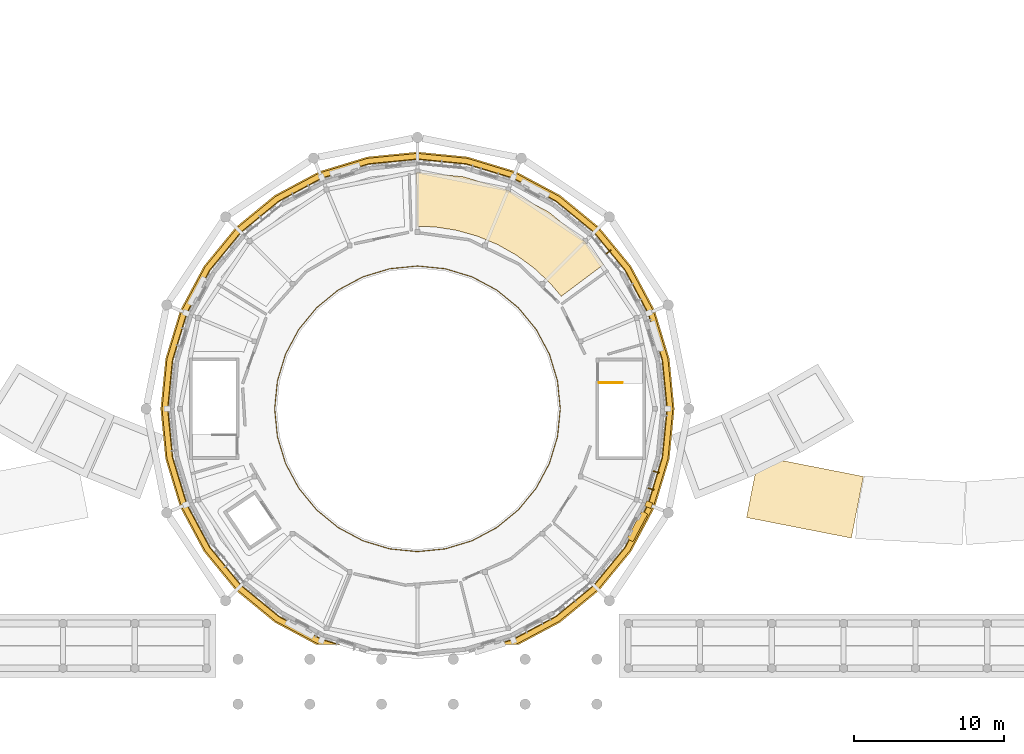
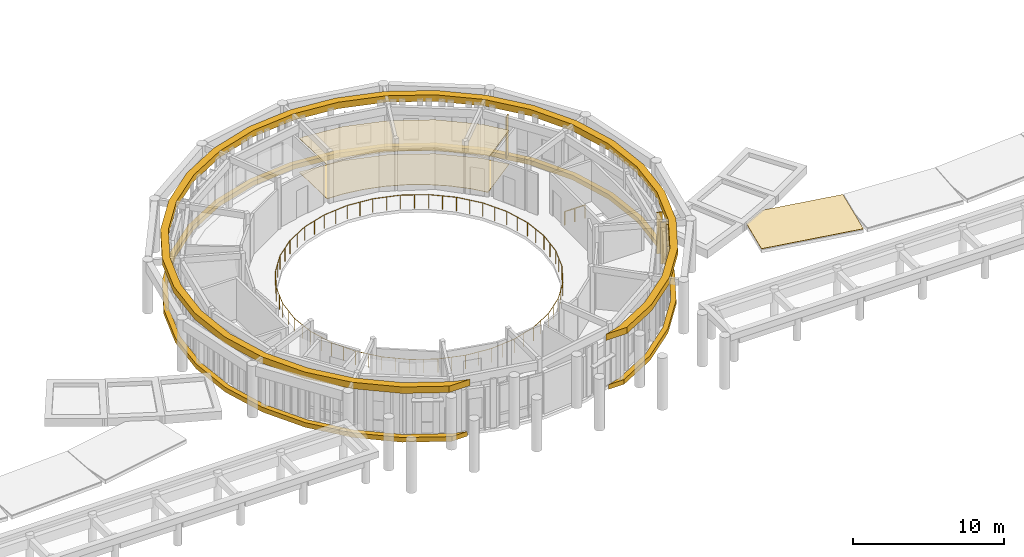
# One storey, part 70 of 80: 6 coverings, 4 shading devices, 2 railings.
"""IFC4 building model written with IfcOpenShell, lengths in metres."""

from ifc_helpers import new_model, si_unit, direction, frame, origin, origin_2d, place, context, subcontext, project, spatial, polyline, rectangle, circle, outline, extrude, material, layer, layer_set, type_object, element, save


model = new_model("IFC4")

# Units and contexts
model_context = context("Model", 3, precision=1e-05, world=origin(), true_north=direction((0.0, 1.0)))
body_context = subcontext(model_context, "Body", "Model", "MODEL_VIEW")
ifc_project = project(units=[si_unit("LENGTHUNIT", "METRE"), si_unit("AREAUNIT", "SQUARE_METRE"), si_unit("VOLUMEUNIT", "CUBIC_METRE"), si_unit("PLANEANGLEUNIT", "RADIAN"), si_unit("MASSUNIT", "GRAM", prefix="KILO")], contexts=[model_context])

# Site, building, storey
site_placement = place(None, origin())
site = spatial("IfcSite", under=ifc_project, at=site_placement, CompositionType="ELEMENT")
building_placement = place(site_placement, origin())
building = spatial("IfcBuilding", under=site, at=building_placement, Name="Aldenvaro Health Centre", CompositionType="ELEMENT")
storey_placement = place(building_placement, frame((0.0, 0.0, 4.550048828125)))
storey = spatial("IfcBuildingStorey", under=building, at=storey_placement, Name="L01", CompositionType="ELEMENT", Elevation=4.550048828125)

# Coverings
ifc_material_1 = material(Name="Perforated Douglas Fir Slatted Ceiling")
ifc_layer_1 = layer(ifc_material_1, 0.031982421875, Name="Perforated Douglas Fir Slatted Ceiling")
ifc_layer_set_1 = layer_set([ifc_layer_1], Name="Perforated Douglas Fir Slatted Ceiling")
covering_type_1 = type_object("IfcCoveringType", Name="COV-CLG-WD32", PredefinedType="CEILING", material=ifc_layer_set_1)
covering_1_placement = place(storey_placement, frame((0.0, 0.0, 2.75)))
element("IfcCovering", 1, at=covering_1_placement, inside=storey, type_object=covering_type_1, Name="D1-L01-R01 Suspended Ceiling", PredefinedType="CEILING", context=body_context, shape_type="SweptSolid", body=[
    extrude(outline(polyline([(95.847900390625, 28.427978515625), (95.827880859375, 28.448974609375), (94.7919921875, 29.4130859375), (94.77001953125, 29.430908203125), (93.626953125, 30.26708984375), (93.60302734375, 30.281982421875), (92.368896484375, 30.97705078125), (92.343994140625, 30.989013671875), (91.037109375, 31.532958984375), (91.010009765625, 31.54296875), (89.64794921875, 31.928955078125), (89.62109375, 31.93505859375), (88.221923828125, 32.157958984375), (88.194091796875, 32.160888671875), (87.006103515625, 32.208984375), (86.93603515625, 35.81201171875), (87.0, 35.818115234375), (90.0859375, 35.514892578125), (93.053955078125, 34.614013671875), (95.7880859375, 33.153076171875), (98.18603515625, 31.18603515625), (99.447998046875, 29.64697265625), (96.616943359375, 27.52099609375), (95.847900390625, 28.427978515625)])), origin(), (0.0, 0.0, 1.0), 0.031982421875),
])
ifc_material_2 = material(Name="Honed Sonoran Buff Limestone", Category="masonry")
ifc_layer_2 = layer(ifc_material_2, 0.280029296875, Name="Honed Sonoran Buff Limestone", Category="masonry")
ifc_layer_set_2 = layer_set([ifc_layer_2], Name="Honed Sonoran Buff Limestone")
covering_type_2 = type_object("IfcCoveringType", Name="COV-CRN-STN", PredefinedType="CLADDING", material=ifc_layer_set_2)
covering_2_placement = place(storey_placement, frame((0.0, 0.0, -0.340087890625)))
element("IfcCovering", 2, at=covering_2_placement, inside=storey, type_object=covering_type_2, Name="D1 L01 Classical Stone Entablature Cornice 1", PredefinedType="CLADDING", context=body_context, shape_type="SweptSolid", body=[
    extrude(outline(polyline([(77.510986328125, 5.798095703125), (74.923095703125, 7.923095703125), (72.798095703125, 10.510986328125), (71.219970703125, 13.464111328125), (70.248046875, 16.66796875), (69.919921875, 20.0), (70.248046875, 23.33203125), (71.219970703125, 26.535888671875), (72.798095703125, 29.489013671875), (74.923095703125, 32.076904296875), (77.510986328125, 34.201904296875), (80.464111328125, 35.780029296875), (83.66796875, 36.751953125), (87.0, 37.080078125), (90.33203125, 36.751953125), (93.535888671875, 35.780029296875), (96.489013671875, 34.201904296875), (99.076904296875, 32.076904296875), (101.201904296875, 29.489013671875), (102.780029296875, 26.535888671875), (103.751953125, 23.33203125), (104.080078125, 20.0), (103.751953125, 16.66796875), (102.780029296875, 13.464111328125), (101.201904296875, 10.510986328125), (99.076904296875, 7.923095703125), (96.489013671875, 5.798095703125), (93.592041015625, 4.25), (92.385009765625, 4.25), (93.39697265625, 4.556884765625), (96.285888671875, 6.10205078125), (98.819091796875, 8.180908203125), (100.89794921875, 10.714111328125), (102.443115234375, 13.60302734375), (103.39404296875, 16.739013671875), (103.715087890625, 20.0), (103.39404296875, 23.260986328125), (102.443115234375, 26.39697265625), (100.89794921875, 29.285888671875), (98.819091796875, 31.819091796875), (96.285888671875, 33.89794921875), (93.39697265625, 35.443115234375), (90.260986328125, 36.39404296875), (87.0, 36.715087890625), (83.739013671875, 36.39404296875), (80.60302734375, 35.443115234375), (77.714111328125, 33.89794921875), (75.180908203125, 31.819091796875), (73.10205078125, 29.285888671875), (71.556884765625, 26.39697265625), (70.60595703125, 23.260986328125), (70.284912109375, 20.0), (70.60595703125, 16.739013671875), (71.556884765625, 13.60302734375), (73.10205078125, 10.714111328125), (75.180908203125, 8.180908203125), (77.714111328125, 6.10205078125), (80.60302734375, 4.556884765625), (81.614990234375, 4.25), (80.407958984375, 4.25), (77.510986328125, 5.798095703125)])), origin(), (0.0, 0.0, 1.0), 0.380126953125),
])
covering_3_placement = place(storey_placement, frame((102.466064453125, 13.593994140625, 0.0), z_axis=(0.0, 0.0, 1.0), x_axis=(0.923883065715, -0.382674902345, 0.0)))
element("IfcCovering", 3, at=covering_3_placement, inside=storey, type_object=covering_type_2, Name="D1 L01 Engaged Classical Limestone Pilaster 02", PredefinedType="CLADDING", context=body_context, shape_type="SweptSolid", body=[
    extrude(rectangle(XDim=0.43994140625, YDim=0.3798828125, at=origin_2d()), origin(), (0.0, 0.0, 1.0), 3.9599609375),
])
covering_4_placement = place(storey_placement, frame((0.0, 0.0, 3.679931640625)))
element("IfcCovering", 4, at=covering_4_placement, inside=storey, type_object=covering_type_2, Name="D1 Classical Roof Entablature Frieze 1", PredefinedType="CLADDING", context=body_context, shape_type="SweptSolid", body=[
    extrude(outline(polyline([(77.455078125, 5.715087890625), (74.85205078125, 7.85205078125), (72.715087890625, 10.455078125), (71.1279296875, 13.425048828125), (70.14990234375, 16.64794921875), (69.820068359375, 20.0), (70.14990234375, 23.35205078125), (71.1279296875, 26.574951171875), (72.715087890625, 29.544921875), (74.85205078125, 32.14794921875), (77.455078125, 34.284912109375), (80.425048828125, 35.8720703125), (83.64794921875, 36.85009765625), (87.0, 37.179931640625), (90.35205078125, 36.85009765625), (93.574951171875, 35.8720703125), (96.544921875, 34.284912109375), (99.14794921875, 32.14794921875), (101.284912109375, 29.544921875), (102.8720703125, 26.574951171875), (103.85009765625, 23.35205078125), (104.179931640625, 20.0), (103.85009765625, 16.64794921875), (102.8720703125, 13.425048828125), (101.284912109375, 10.455078125), (99.14794921875, 7.85205078125), (96.544921875, 5.715087890625), (93.802978515625, 4.25), (92.196044921875, 4.25), (93.3759765625, 4.60791015625), (96.256103515625, 6.14794921875), (98.780029296875, 8.219970703125), (100.85205078125, 10.743896484375), (102.39208984375, 13.6240234375), (103.340087890625, 16.75), (103.659912109375, 20.0), (103.340087890625, 23.25), (102.39208984375, 26.3759765625), (100.85205078125, 29.256103515625), (98.780029296875, 31.780029296875), (96.256103515625, 33.85205078125), (93.3759765625, 35.39208984375), (90.25, 36.340087890625), (87.0, 36.659912109375), (83.75, 36.340087890625), (80.6240234375, 35.39208984375), (77.743896484375, 33.85205078125), (75.219970703125, 31.780029296875), (73.14794921875, 29.256103515625), (71.60791015625, 26.3759765625), (70.659912109375, 23.25), (70.340087890625, 20.0), (70.659912109375, 16.75), (71.60791015625, 13.6240234375), (73.14794921875, 10.743896484375), (75.219970703125, 8.219970703125), (77.743896484375, 6.14794921875), (80.6240234375, 4.60791015625), (81.803955078125, 4.25), (80.197021484375, 4.25), (77.455078125, 5.715087890625)])), origin(), (0.0, 0.0, 1.0), 0.52001953125),
])
ifc_material_3 = material(Name="Honed Arizona Limestone Flooring", Category="masonry")
ifc_layer_3 = layer(ifc_material_3, 0.030029296875, Name="Honed Arizona Limestone Flooring", Category="masonry")
ifc_layer_set_3 = layer_set([ifc_layer_3], Name="Honed Arizona Limestone Flooring")
covering_type_3 = type_object("IfcCoveringType", Name="COV-FLR-STN30", PredefinedType="FLOORING", material=ifc_layer_set_3)
covering_5_placement = place(storey_placement, origin())
element("IfcCovering", 5, at=covering_5_placement, inside=storey, type_object=covering_type_3, Name="D1-L01-R01 Flooring", PredefinedType="FLOORING", context=body_context, shape_type="SweptSolid", body=[
    extrude(outline(polyline([(95.847900390625, 28.427978515625), (95.827880859375, 28.448974609375), (94.7919921875, 29.4130859375), (94.77001953125, 29.430908203125), (93.626953125, 30.26708984375), (93.60302734375, 30.281982421875), (92.368896484375, 30.97705078125), (92.343994140625, 30.989013671875), (91.037109375, 31.532958984375), (91.010009765625, 31.54296875), (89.64794921875, 31.928955078125), (89.62109375, 31.93505859375), (88.221923828125, 32.157958984375), (88.194091796875, 32.160888671875), (87.006103515625, 32.208984375), (86.93603515625, 35.81201171875), (87.0, 35.818115234375), (90.0859375, 35.514892578125), (93.053955078125, 34.614013671875), (95.7880859375, 33.153076171875), (98.18603515625, 31.18603515625), (99.447998046875, 29.64697265625), (96.616943359375, 27.52099609375), (95.847900390625, 28.427978515625)])), origin(), (0.0, 0.0, 1.0), 0.030029296875),
])
ifc_material_4 = material(Name="TPO Reflective Cool Roof Membrane")
ifc_layer_4 = layer(ifc_material_4, 0.030029296875, Name="TPO Reflective Cool Roof Membrane")
ifc_layer_set_4 = layer_set([ifc_layer_4], Name="TPO Reflective Cool Roof Membrane")
covering_type_4 = type_object("IfcCoveringType", Name="COV-RF-MEM", PredefinedType="ROOFING", material=ifc_layer_set_4)
covering_6_placement = place(storey_placement, frame((0.0, 0.0, 0.06005859375)))
element("IfcCovering", 6, at=covering_6_placement, inside=storey, type_object=covering_type_4, Name="South East Curved Peristyle Walkway Arc 1 flat roof Cool Limestone Ballast Membrane", PredefinedType="ROOFING", context=body_context, shape_type="SweptSolid", body=[
    extrude(outline(polyline([(116.823974609375, 15.47509765625), (116.01611328125, 11.35302734375), (109.008056640625, 12.72802734375), (109.60205078125, 15.756103515625), (111.260986328125, 16.56591796875), (116.823974609375, 15.47509765625)])), origin(), (0.0, 0.0, 1.0), 0.02978515625),
])

# Railings
ifc_material_5 = material(Name="Painted Architectural Steel", Category="steel")
railing_type = type_object("IfcRailingType", Name="RL-BAL-INT", PredefinedType="BALUSTRADE", material=ifc_material_5)
railing_1_placement = place(storey_placement, frame((99.14990234375, 21.75, 0.0)))
element("IfcRailing", 7, at=railing_1_placement, inside=storey, type_object=railing_type, Name="L01 ST-02 top well guard 1", PredefinedType="BALUSTRADE", context=body_context, shape_type="SweptSolid", body=[
    extrude(circle(Radius=0.02392578125, at=origin_2d()), frame((0.0, 0.0, 1.076171875), z_axis=(1.0, 0.0, 0.0), x_axis=(0.0, 1.0, 0.0)), (0.0, 0.0, 1.0), 1.550048828125),
    extrude(circle(Radius=0.02099609375, at=origin_2d()), origin(), (0.0, 0.0, 1.0), 1.052001953125),
    extrude(circle(Radius=0.02099609375, at=origin_2d()), frame((0.77490234375, 0.0, 0.0)), (0.0, 0.0, 1.0), 1.052001953125),
    extrude(circle(Radius=0.02099609375, at=origin_2d()), frame((1.550048828125, 0.0, 0.0)), (0.0, 0.0, 1.0), 1.052001953125),
])
railing_2_placement = place(storey_placement, frame((96.550048828125, 20.0, 0.0)))
element("IfcRailing", 8, at=railing_2_placement, inside=storey, type_object=railing_type, Name="Waiting Rotunda L01 Gallery Guardrail", PredefinedType="BALUSTRADE", context=body_context, shape_type="SweptSolid", body=[
    extrude(circle(Radius=0.02392578125, at=origin_2d()), frame((0.0, 0.0, 1.09619140625), z_axis=(-0.098328674028, 0.995153994045, 0.0), x_axis=(-0.995153994045, -0.098328674028, 0.0)), (0.0, 0.0, 1.0), 1.8720703125),
    extrude(circle(Radius=0.02392578125, at=origin_2d()), frame((-0.18408203125, 1.863037109375, 1.09619140625), z_axis=(-0.289978444854, 0.957033176813, 0.0), x_axis=(-0.957033176813, -0.289978444854, 0.0)), (0.0, 0.0, 1.0), 1.87255859375),
    extrude(circle(Radius=0.02392578125, at=origin_2d()), frame((-0.72705078125, 3.655029296875, 1.09619140625), z_axis=(-0.471258323085, 0.881995234071, 0.0), x_axis=(-0.881995234071, -0.471258323085, 0.0)), (0.0, 0.0, 1.0), 1.871826171875),
    extrude(circle(Radius=0.02392578125, at=origin_2d()), frame((-1.609130859375, 5.305908203125, 1.09619140625), z_axis=(-0.634536399324, 0.772892979612, 0.0), x_axis=(-0.772892979612, -0.634536399324, 0.0)), (0.0, 0.0, 1.0), 1.872314453125),
    extrude(circle(Radius=0.02392578125, at=origin_2d()), frame((-2.797119140625, 6.7529296875, 1.09619140625), z_axis=(-0.772892979612, 0.634536399324, 0.0), x_axis=(-0.634536399324, -0.772892979612, 0.0)), (0.0, 0.0, 1.0), 1.872314453125),
    extrude(circle(Radius=0.02392578125, at=origin_2d()), frame((-4.244140625, 7.94091796875, 1.09619140625), z_axis=(-0.881995234071, 0.471258323085, 0.0), x_axis=(-0.471258323085, -0.881995234071, 0.0)), (0.0, 0.0, 1.0), 1.871826171875),
    extrude(circle(Radius=0.02392578125, at=origin_2d()), frame((-5.89501953125, 8.822998046875, 1.09619140625), z_axis=(-0.957033176813, 0.289978444854, 0.0), x_axis=(-0.289978444854, -0.957033176813, 0.0)), (0.0, 0.0, 1.0), 1.87255859375),
    extrude(circle(Radius=0.02392578125, at=origin_2d()), frame((-7.68701171875, 9.365966796875, 1.09619140625), z_axis=(-0.995153994045, 0.098328674028, 0.0), x_axis=(-0.098328674028, -0.995153994045, 0.0)), (0.0, 0.0, 1.0), 1.8720703125),
    extrude(circle(Radius=0.02392578125, at=origin_2d()), frame((-9.550048828125, 9.550048828125, 1.09619140625), z_axis=(-0.995153994045, -0.098328674028, 0.0), x_axis=(0.098328674028, -0.995153994045, 0.0)), (0.0, 0.0, 1.0), 1.8720703125),
    extrude(circle(Radius=0.02392578125, at=origin_2d()), frame((-11.4130859375, 9.365966796875, 1.09619140625), z_axis=(-0.957033176813, -0.289978444854, 0.0), x_axis=(0.289978444854, -0.957033176813, 0.0)), (0.0, 0.0, 1.0), 1.87255859375),
    extrude(circle(Radius=0.02392578125, at=origin_2d()), frame((-13.205078125, 8.822998046875, 1.09619140625), z_axis=(-0.881995234071, -0.471258323085, 0.0), x_axis=(0.471258323085, -0.881995234071, 0.0)), (0.0, 0.0, 1.0), 1.871826171875),
    extrude(circle(Radius=0.02392578125, at=origin_2d()), frame((-14.85595703125, 7.94091796875, 1.09619140625), z_axis=(-0.772892979612, -0.634536399324, 0.0), x_axis=(0.634536399324, -0.772892979612, 0.0)), (0.0, 0.0, 1.0), 1.872314453125),
    extrude(circle(Radius=0.02392578125, at=origin_2d()), frame((-16.302978515625, 6.7529296875, 1.09619140625), z_axis=(-0.634536399324, -0.772892979612, 0.0), x_axis=(0.772892979612, -0.634536399324, 0.0)), (0.0, 0.0, 1.0), 1.872314453125),
    extrude(circle(Radius=0.02392578125, at=origin_2d()), frame((-17.490966796875, 5.305908203125, 1.09619140625), z_axis=(-0.471258323085, -0.881995234071, 0.0), x_axis=(0.881995234071, -0.471258323085, 0.0)), (0.0, 0.0, 1.0), 1.871826171875),
    extrude(circle(Radius=0.02392578125, at=origin_2d()), frame((-18.373046875, 3.655029296875, 1.09619140625), z_axis=(-0.289978444854, -0.957033176813, 0.0), x_axis=(0.957033176813, -0.289978444854, 0.0)), (0.0, 0.0, 1.0), 1.87255859375),
    extrude(circle(Radius=0.02392578125, at=origin_2d()), frame((-18.916015625, 1.863037109375, 1.09619140625), z_axis=(-0.098328674028, -0.995153994045, 0.0), x_axis=(0.995153994045, -0.098328674028, 0.0)), (0.0, 0.0, 1.0), 1.8720703125),
    extrude(circle(Radius=0.02392578125, at=origin_2d()), frame((-19.10009765625, 0.0, 1.09619140625), z_axis=(0.098328674028, -0.995153994045, 0.0), x_axis=(0.995153994045, 0.098328674028, 0.0)), (0.0, 0.0, 1.0), 1.8720703125),
    extrude(circle(Radius=0.02392578125, at=origin_2d()), frame((-18.916015625, -1.863037109375, 1.09619140625), z_axis=(0.289978444854, -0.957033176813, 0.0), x_axis=(0.957033176813, 0.289978444854, 0.0)), (0.0, 0.0, 1.0), 1.87255859375),
    extrude(circle(Radius=0.02392578125, at=origin_2d()), frame((-18.373046875, -3.655029296875, 1.09619140625), z_axis=(0.471258323085, -0.881995234071, 0.0), x_axis=(0.881995234071, 0.471258323085, 0.0)), (0.0, 0.0, 1.0), 1.871826171875),
    extrude(circle(Radius=0.02392578125, at=origin_2d()), frame((-17.490966796875, -5.305908203125, 1.09619140625), z_axis=(0.634536399324, -0.772892979612, 0.0), x_axis=(0.772892979612, 0.634536399324, 0.0)), (0.0, 0.0, 1.0), 1.872314453125),
    extrude(circle(Radius=0.02392578125, at=origin_2d()), frame((-16.302978515625, -6.7529296875, 1.09619140625), z_axis=(0.772892979612, -0.634536399324, 0.0), x_axis=(0.634536399324, 0.772892979612, 0.0)), (0.0, 0.0, 1.0), 1.872314453125),
    extrude(circle(Radius=0.02392578125, at=origin_2d()), frame((-14.85595703125, -7.94091796875, 1.09619140625), z_axis=(0.881995234071, -0.471258323085, 0.0), x_axis=(0.471258323085, 0.881995234071, 0.0)), (0.0, 0.0, 1.0), 1.871826171875),
    extrude(circle(Radius=0.02392578125, at=origin_2d()), frame((-13.205078125, -8.822998046875, 1.09619140625), z_axis=(0.957033176813, -0.289978444854, 0.0), x_axis=(0.289978444854, 0.957033176813, 0.0)), (0.0, 0.0, 1.0), 1.87255859375),
    extrude(circle(Radius=0.02392578125, at=origin_2d()), frame((-11.4130859375, -9.365966796875, 1.09619140625), z_axis=(0.995153994045, -0.098328674028, 0.0), x_axis=(0.098328674028, 0.995153994045, 0.0)), (0.0, 0.0, 1.0), 1.8720703125),
    extrude(circle(Radius=0.02392578125, at=origin_2d()), frame((-9.550048828125, -9.550048828125, 1.09619140625), z_axis=(0.995153994045, 0.098328674028, 0.0), x_axis=(-0.098328674028, 0.995153994045, 0.0)), (0.0, 0.0, 1.0), 1.8720703125),
    extrude(circle(Radius=0.02392578125, at=origin_2d()), frame((-7.68701171875, -9.365966796875, 1.09619140625), z_axis=(0.957033176813, 0.289978444854, 0.0), x_axis=(-0.289978444854, 0.957033176813, 0.0)), (0.0, 0.0, 1.0), 1.87255859375),
    extrude(circle(Radius=0.02392578125, at=origin_2d()), frame((-5.89501953125, -8.822998046875, 1.09619140625), z_axis=(0.881995234071, 0.471258323085, 0.0), x_axis=(-0.471258323085, 0.881995234071, 0.0)), (0.0, 0.0, 1.0), 1.871826171875),
    extrude(circle(Radius=0.02392578125, at=origin_2d()), frame((-4.244140625, -7.94091796875, 1.09619140625), z_axis=(0.772892979612, 0.634536399324, 0.0), x_axis=(-0.634536399324, 0.772892979612, 0.0)), (0.0, 0.0, 1.0), 1.872314453125),
    extrude(circle(Radius=0.02392578125, at=origin_2d()), frame((-2.797119140625, -6.7529296875, 1.09619140625), z_axis=(0.634536399324, 0.772892979612, 0.0), x_axis=(-0.772892979612, 0.634536399324, 0.0)), (0.0, 0.0, 1.0), 1.872314453125),
    extrude(circle(Radius=0.02392578125, at=origin_2d()), frame((-1.609130859375, -5.305908203125, 1.09619140625), z_axis=(0.471258323085, 0.881995234071, 0.0), x_axis=(-0.881995234071, 0.471258323085, 0.0)), (0.0, 0.0, 1.0), 1.871826171875),
    extrude(circle(Radius=0.02392578125, at=origin_2d()), frame((-0.72705078125, -3.655029296875, 1.09619140625), z_axis=(0.289978444854, 0.957033176813, 0.0), x_axis=(-0.957033176813, 0.289978444854, 0.0)), (0.0, 0.0, 1.0), 1.87255859375),
    extrude(circle(Radius=0.02392578125, at=origin_2d()), frame((-0.18408203125, -1.863037109375, 1.09619140625), z_axis=(0.098248899159, 0.995161873171, 0.0), x_axis=(-0.995161873171, 0.098248899159, 0.0)), (0.0, 0.0, 1.0), 1.791748046875),
    extrude(circle(Radius=0.02099609375, at=origin_2d()), origin(), (0.0, 0.0, 1.0), 1.072021484375),
    extrude(circle(Radius=0.02099609375, at=origin_2d()), frame((-0.092041015625, 0.931640625, 0.0)), (0.0, 0.0, 1.0), 1.072021484375),
    extrude(circle(Radius=0.02099609375, at=origin_2d()), frame((-0.18408203125, 1.863037109375, 0.0)), (0.0, 0.0, 1.0), 1.072021484375),
    extrude(circle(Radius=0.02099609375, at=origin_2d()), frame((-0.45556640625, 2.759033203125, 0.0)), (0.0, 0.0, 1.0), 1.072021484375),
    extrude(circle(Radius=0.02099609375, at=origin_2d()), frame((-0.72705078125, 3.655029296875, 0.0)), (0.0, 0.0, 1.0), 1.072021484375),
    extrude(circle(Radius=0.02099609375, at=origin_2d()), frame((-1.16796875, 4.48046875, 0.0)), (0.0, 0.0, 1.0), 1.072021484375),
    extrude(circle(Radius=0.02099609375, at=origin_2d()), frame((-1.609130859375, 5.305908203125, 0.0)), (0.0, 0.0, 1.0), 1.072021484375),
    extrude(circle(Radius=0.02099609375, at=origin_2d()), frame((-2.203125, 6.029296875, 0.0)), (0.0, 0.0, 1.0), 1.072021484375),
    extrude(circle(Radius=0.02099609375, at=origin_2d()), frame((-2.797119140625, 6.7529296875, 0.0)), (0.0, 0.0, 1.0), 1.072021484375),
    extrude(circle(Radius=0.02099609375, at=origin_2d()), frame((-3.5205078125, 7.346923828125, 0.0)), (0.0, 0.0, 1.0), 1.072021484375),
    extrude(circle(Radius=0.02099609375, at=origin_2d()), frame((-4.244140625, 7.94091796875, 0.0)), (0.0, 0.0, 1.0), 1.072021484375),
    extrude(circle(Radius=0.02099609375, at=origin_2d()), frame((-5.069580078125, 8.3818359375, 0.0)), (0.0, 0.0, 1.0), 1.072021484375),
    extrude(circle(Radius=0.02099609375, at=origin_2d()), frame((-5.89501953125, 8.822998046875, 0.0)), (0.0, 0.0, 1.0), 1.072021484375),
    extrude(circle(Radius=0.02099609375, at=origin_2d()), frame((-6.791015625, 9.094482421875, 0.0)), (0.0, 0.0, 1.0), 1.072021484375),
    extrude(circle(Radius=0.02099609375, at=origin_2d()), frame((-7.68701171875, 9.365966796875, 0.0)), (0.0, 0.0, 1.0), 1.072021484375),
    extrude(circle(Radius=0.02099609375, at=origin_2d()), frame((-8.61865234375, 9.4580078125, 0.0)), (0.0, 0.0, 1.0), 1.072021484375),
    extrude(circle(Radius=0.02099609375, at=origin_2d()), frame((-9.550048828125, 9.550048828125, 0.0)), (0.0, 0.0, 1.0), 1.072021484375),
    extrude(circle(Radius=0.02099609375, at=origin_2d()), frame((-10.4814453125, 9.4580078125, 0.0)), (0.0, 0.0, 1.0), 1.072021484375),
    extrude(circle(Radius=0.02099609375, at=origin_2d()), frame((-11.4130859375, 9.365966796875, 0.0)), (0.0, 0.0, 1.0), 1.072021484375),
    extrude(circle(Radius=0.02099609375, at=origin_2d()), frame((-12.30908203125, 9.094482421875, 0.0)), (0.0, 0.0, 1.0), 1.072021484375),
    extrude(circle(Radius=0.02099609375, at=origin_2d()), frame((-13.205078125, 8.822998046875, 0.0)), (0.0, 0.0, 1.0), 1.072021484375),
    extrude(circle(Radius=0.02099609375, at=origin_2d()), frame((-14.030517578125, 8.3818359375, 0.0)), (0.0, 0.0, 1.0), 1.072021484375),
    extrude(circle(Radius=0.02099609375, at=origin_2d()), frame((-14.85595703125, 7.94091796875, 0.0)), (0.0, 0.0, 1.0), 1.072021484375),
    extrude(circle(Radius=0.02099609375, at=origin_2d()), frame((-15.57958984375, 7.346923828125, 0.0)), (0.0, 0.0, 1.0), 1.072021484375),
    extrude(circle(Radius=0.02099609375, at=origin_2d()), frame((-16.302978515625, 6.7529296875, 0.0)), (0.0, 0.0, 1.0), 1.072021484375),
    extrude(circle(Radius=0.02099609375, at=origin_2d()), frame((-16.89697265625, 6.029296875, 0.0)), (0.0, 0.0, 1.0), 1.072021484375),
    extrude(circle(Radius=0.02099609375, at=origin_2d()), frame((-17.490966796875, 5.305908203125, 0.0)), (0.0, 0.0, 1.0), 1.072021484375),
    extrude(circle(Radius=0.02099609375, at=origin_2d()), frame((-17.93212890625, 4.48046875, 0.0)), (0.0, 0.0, 1.0), 1.072021484375),
    extrude(circle(Radius=0.02099609375, at=origin_2d()), frame((-18.373046875, 3.655029296875, 0.0)), (0.0, 0.0, 1.0), 1.072021484375),
    extrude(circle(Radius=0.02099609375, at=origin_2d()), frame((-18.64453125, 2.759033203125, 0.0)), (0.0, 0.0, 1.0), 1.072021484375),
    extrude(circle(Radius=0.02099609375, at=origin_2d()), frame((-18.916015625, 1.863037109375, 0.0)), (0.0, 0.0, 1.0), 1.072021484375),
    extrude(circle(Radius=0.02099609375, at=origin_2d()), frame((-19.008056640625, 0.931640625, 0.0)), (0.0, 0.0, 1.0), 1.072021484375),
    extrude(circle(Radius=0.02099609375, at=origin_2d()), frame((-19.10009765625, 0.0, 0.0)), (0.0, 0.0, 1.0), 1.072021484375),
    extrude(circle(Radius=0.02099609375, at=origin_2d()), frame((-19.008056640625, -0.931640625, 0.0)), (0.0, 0.0, 1.0), 1.072021484375),
    extrude(circle(Radius=0.02099609375, at=origin_2d()), frame((-18.916015625, -1.863037109375, 0.0)), (0.0, 0.0, 1.0), 1.072021484375),
    extrude(circle(Radius=0.02099609375, at=origin_2d()), frame((-18.64453125, -2.759033203125, 0.0)), (0.0, 0.0, 1.0), 1.072021484375),
    extrude(circle(Radius=0.02099609375, at=origin_2d()), frame((-18.373046875, -3.655029296875, 0.0)), (0.0, 0.0, 1.0), 1.072021484375),
    extrude(circle(Radius=0.02099609375, at=origin_2d()), frame((-17.93212890625, -4.48046875, 0.0)), (0.0, 0.0, 1.0), 1.072021484375),
    extrude(circle(Radius=0.02099609375, at=origin_2d()), frame((-17.490966796875, -5.305908203125, 0.0)), (0.0, 0.0, 1.0), 1.072021484375),
    extrude(circle(Radius=0.02099609375, at=origin_2d()), frame((-16.89697265625, -6.029296875, 0.0)), (0.0, 0.0, 1.0), 1.072021484375),
    extrude(circle(Radius=0.02099609375, at=origin_2d()), frame((-16.302978515625, -6.7529296875, 0.0)), (0.0, 0.0, 1.0), 1.072021484375),
    extrude(circle(Radius=0.02099609375, at=origin_2d()), frame((-15.57958984375, -7.346923828125, 0.0)), (0.0, 0.0, 1.0), 1.072021484375),
    extrude(circle(Radius=0.02099609375, at=origin_2d()), frame((-14.85595703125, -7.94091796875, 0.0)), (0.0, 0.0, 1.0), 1.072021484375),
    extrude(circle(Radius=0.02099609375, at=origin_2d()), frame((-14.030517578125, -8.3818359375, 0.0)), (0.0, 0.0, 1.0), 1.072021484375),
    extrude(circle(Radius=0.02099609375, at=origin_2d()), frame((-13.205078125, -8.822998046875, 0.0)), (0.0, 0.0, 1.0), 1.072021484375),
    extrude(circle(Radius=0.02099609375, at=origin_2d()), frame((-12.30908203125, -9.094482421875, 0.0)), (0.0, 0.0, 1.0), 1.072021484375),
    extrude(circle(Radius=0.02099609375, at=origin_2d()), frame((-11.4130859375, -9.365966796875, 0.0)), (0.0, 0.0, 1.0), 1.072021484375),
    extrude(circle(Radius=0.02099609375, at=origin_2d()), frame((-10.4814453125, -9.4580078125, 0.0)), (0.0, 0.0, 1.0), 1.072021484375),
    extrude(circle(Radius=0.02099609375, at=origin_2d()), frame((-9.550048828125, -9.550048828125, 0.0)), (0.0, 0.0, 1.0), 1.072021484375),
    extrude(circle(Radius=0.02099609375, at=origin_2d()), frame((-8.61865234375, -9.4580078125, 0.0)), (0.0, 0.0, 1.0), 1.072021484375),
    extrude(circle(Radius=0.02099609375, at=origin_2d()), frame((-7.68701171875, -9.365966796875, 0.0)), (0.0, 0.0, 1.0), 1.072021484375),
    extrude(circle(Radius=0.02099609375, at=origin_2d()), frame((-6.791015625, -9.094482421875, 0.0)), (0.0, 0.0, 1.0), 1.072021484375),
    extrude(circle(Radius=0.02099609375, at=origin_2d()), frame((-5.89501953125, -8.822998046875, 0.0)), (0.0, 0.0, 1.0), 1.072021484375),
    extrude(circle(Radius=0.02099609375, at=origin_2d()), frame((-5.069580078125, -8.3818359375, 0.0)), (0.0, 0.0, 1.0), 1.072021484375),
    extrude(circle(Radius=0.02099609375, at=origin_2d()), frame((-4.244140625, -7.94091796875, 0.0)), (0.0, 0.0, 1.0), 1.072021484375),
    extrude(circle(Radius=0.02099609375, at=origin_2d()), frame((-3.5205078125, -7.346923828125, 0.0)), (0.0, 0.0, 1.0), 1.072021484375),
    extrude(circle(Radius=0.02099609375, at=origin_2d()), frame((-2.797119140625, -6.7529296875, 0.0)), (0.0, 0.0, 1.0), 1.072021484375),
    extrude(circle(Radius=0.02099609375, at=origin_2d()), frame((-2.203125, -6.029296875, 0.0)), (0.0, 0.0, 1.0), 1.072021484375),
    extrude(circle(Radius=0.02099609375, at=origin_2d()), frame((-1.609130859375, -5.305908203125, 0.0)), (0.0, 0.0, 1.0), 1.072021484375),
    extrude(circle(Radius=0.02099609375, at=origin_2d()), frame((-1.16796875, -4.48046875, 0.0)), (0.0, 0.0, 1.0), 1.072021484375),
    extrude(circle(Radius=0.02099609375, at=origin_2d()), frame((-0.72705078125, -3.655029296875, 0.0)), (0.0, 0.0, 1.0), 1.072021484375),
    extrude(circle(Radius=0.02099609375, at=origin_2d()), frame((-0.45556640625, -2.759033203125, 0.0)), (0.0, 0.0, 1.0), 1.072021484375),
    extrude(circle(Radius=0.02099609375, at=origin_2d()), frame((-0.18408203125, -1.863037109375, 0.0)), (0.0, 0.0, 1.0), 1.072021484375),
    extrude(circle(Radius=0.02099609375, at=origin_2d()), frame((-0.09619140625, -0.9716796875, 0.0)), (0.0, 0.0, 1.0), 1.072021484375),
    extrude(circle(Radius=0.02099609375, at=origin_2d()), frame((-0.008056640625, -0.080078125, 0.0)), (0.0, 0.0, 1.0), 1.072021484375),
])

# Shading devices
ifc_material_6 = material(Name="Douglas Fir Exterior Glulam GL28h", Category="wood")
shading_device_type_1 = type_object("IfcShadingDeviceType", Name="SHD-FIN-400", PredefinedType="USERDEFINED", material=ifc_material_6)
for number, where, z_axis, x_axis, name in (
    (9, (102.9580078125, 15.780029296875, -0.02001953125), (0.0, 0.0, 1.0), (-0.290171396605, -0.95697469172, 0.0), "D1 L01 Douglas fir fin 2.2"),
    (10, (102.614013671875, 14.64306640625, -0.02001953125), (0.0, 0.0, 1.0), (-0.290171396605, -0.95697469172, 0.0), "D1 L01 Douglas fir fin 2.4"),
):
    element("IfcShadingDevice", number, at=place(storey_placement, frame(where, z_axis=z_axis, x_axis=x_axis)), inside=storey, type_object=shading_device_type_1, Name=name, ObjectType="FIN", PredefinedType="USERDEFINED", context=body_context, shape_type="SweptSolid", body=[
        extrude(rectangle(XDim=0.06494140625, YDim=0.419921875, at=origin_2d()), origin(), (0.0, 0.0, 1.0), 3.35400390625),
    ])
shading_device_type_2 = type_object("IfcShadingDeviceType", Name="SHD-FIN-455", PredefinedType="USERDEFINED", material=ifc_material_6)
shading_device_1_placement = place(storey_placement, frame((99.779052734375, 30.487060546875, -0.02001953125), z_axis=(0.0, 0.0, 1.0), x_axis=(0.634168850528, -0.773194586776, 0.0)))
element("IfcShadingDevice", 11, at=shading_device_1_placement, inside=storey, type_object=shading_device_type_2, Name="D1 L01 vertical timber fin 29.0", ObjectType="FIN", PredefinedType="USERDEFINED", context=body_context, shape_type="SweptSolid", body=[
    extrude(rectangle(XDim=0.06494140625, YDim=0.419921875, at=origin_2d()), origin(), (0.0, 0.0, 1.0), 3.35400390625),
])
shading_device_type_3 = type_object("IfcShadingDeviceType", Name="SHD-LVR-210", PredefinedType="JALOUSIE", material=ifc_material_6)
shading_device_2_placement = place(storey_placement, frame((101.705078125, 12.14111328125, 2.3974609375), z_axis=(0.0, 0.0, 1.0), x_axis=(-0.471556629455, -0.88183578132, 0.0)))
element("IfcShadingDevice", 12, at=shading_device_2_placement, inside=storey, type_object=shading_device_type_3, Name="D1 L01 horizontal solar louvre 03", PredefinedType="JALOUSIE", context=body_context, shape_type="SweptSolid", body=[
    extrude(rectangle(XDim=2.10009765625, YDim=0.449951171875, at=origin_2d()), origin(), (0.0, 0.0, 1.0), 0.06494140625),
])

save(model, "model.ifc")
